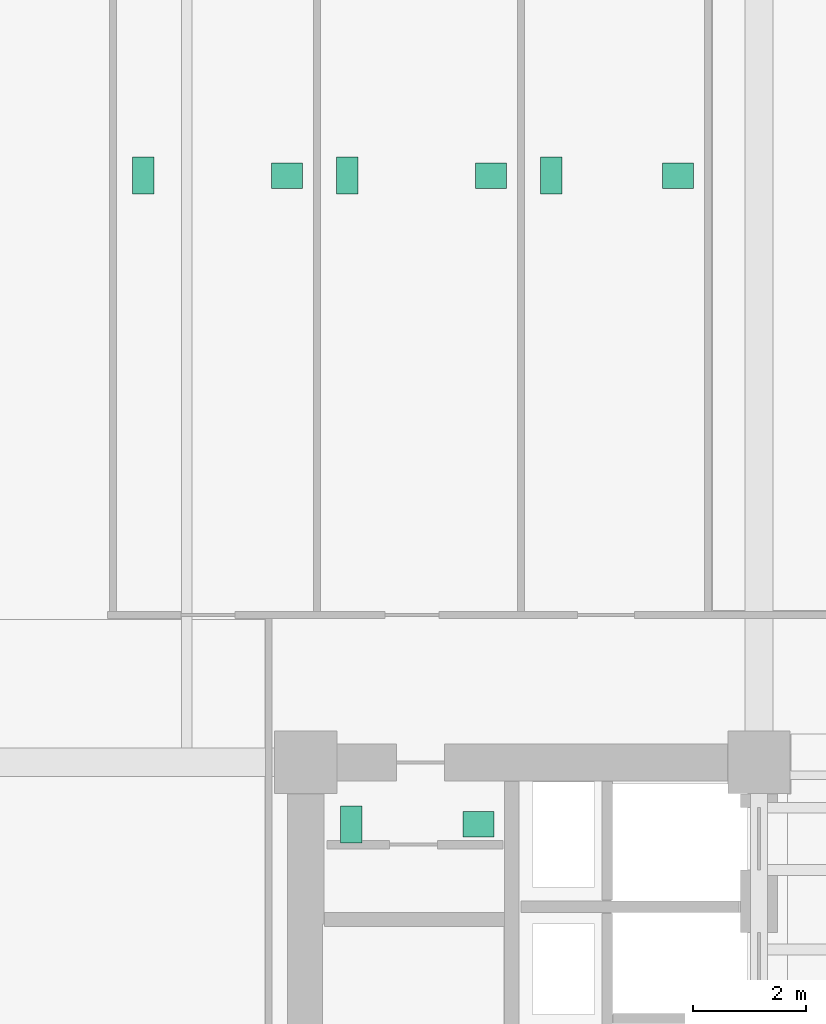
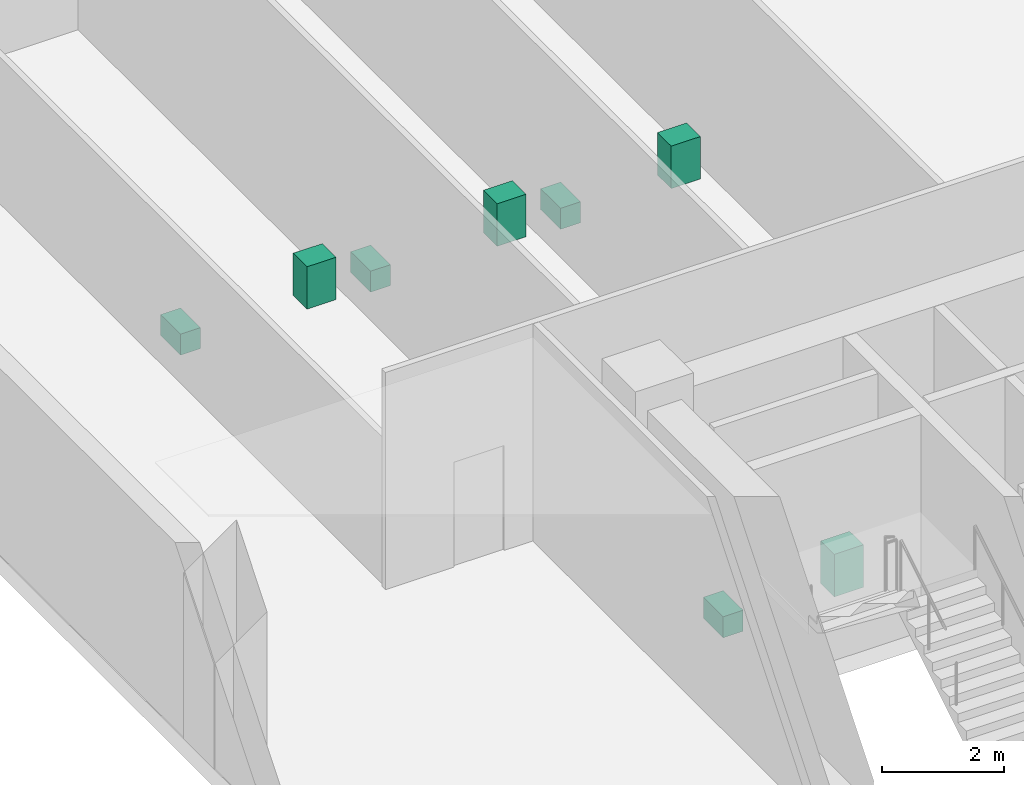
# One storey, part 16 of 16: 8 sanitary terminals.
"""IFC4 building model written with IfcOpenShell, lengths in metres."""

from ifc_helpers import new_model, si_unit, direction, frame, origin, origin_2d, place, context, subcontext, project, spatial, rectangle, extrude, material, type_object, element, save


model = new_model("IFC4")

# Units and contexts
model_context = context("Model", 3, precision=1e-05, world=origin(), true_north=direction((0.0, 1.0)))
body_context = subcontext(model_context, "Body", "Model", "MODEL_VIEW")
ifc_project = project(units=[si_unit("LENGTHUNIT", "METRE"), si_unit("AREAUNIT", "SQUARE_METRE"), si_unit("VOLUMEUNIT", "CUBIC_METRE"), si_unit("PLANEANGLEUNIT", "RADIAN"), si_unit("MASSUNIT", "GRAM", prefix="KILO")], contexts=[model_context])

# Site, building, storey
site_placement = place(None, origin())
site = spatial("IfcSite", under=ifc_project, at=site_placement, CompositionType="ELEMENT")
building_placement = place(site_placement, origin())
building = spatial("IfcBuilding", under=site, at=building_placement, Name="Kranthara Brick Stack", CompositionType="ELEMENT")
storey_placement = place(building_placement, frame((0.0, 0.0, 115.5)))
storey = spatial("IfcBuildingStorey", under=building, at=storey_placement, Name="L28", CompositionType="ELEMENT", Elevation=115.5)

# Sanitary terminals
ifc_material_1 = material(Name="Vitreous china sanitary porcelain", Category="other")
sanitary_terminal_type_1 = type_object("IfcSanitaryTerminalType", Name="SAN-BASIN", PredefinedType="WASHHANDBASIN", material=ifc_material_1)
for number, where, z_axis, x_axis, name in (
    (1, (15.85009765625, 32.5048828125, 0.0), (0.0, 0.0, 1.0), (1.0, 0.0, 0.0), "L28 Washbasin 83"),
    (2, (12.469970703125, 43.955078125, 0.0), (0.0, 0.0, 1.0), (1.0, 0.0, 0.0), "L28 Washbasin 84"),
    (3, (16.070068359375, 43.955078125, 0.0), (0.0, 0.0, 1.0), (1.0, 0.0, 0.0), "L28 Washbasin 85"),
    (4, (19.3701171875, 43.955078125, 0.0), (0.0, 0.0, 1.0), (1.0, 0.0, 0.0), "L28 Washbasin 86"),
):
    element("IfcSanitaryTerminal", number, at=place(storey_placement, frame(where, z_axis=z_axis, x_axis=x_axis)), inside=storey, type_object=sanitary_terminal_type_1, Name=name, PredefinedType="WASHHANDBASIN", context=body_context, shape_type="SweptSolid", body=[
        extrude(rectangle(XDim=0.550048828125, YDim=0.449951171875, at=origin_2d()), origin(), (0.0, 0.0, 1.0), 0.85009765625),
    ])
ifc_material_2 = material(Name="Vitreous china sanitary porcelain", Category="other")
sanitary_terminal_type_2 = type_object("IfcSanitaryTerminalType", Name="SAN-WC-PAN", PredefinedType="TOILETPAN", material=ifc_material_2)
for number, where, z_axis, x_axis, name in (
    (5, (13.60009765625, 32.5048828125, 0.0), (0.0, 0.0, 1.0), (1.0, 0.0, 0.0), "L28 WC Pan 83"),
    (6, (9.929931640625, 43.955078125, 0.0), (0.0, 0.0, 1.0), (1.0, 0.0, 0.0), "L28 WC Pan 84"),
    (7, (13.530029296875, 43.955078125, 0.0), (0.0, 0.0, 1.0), (1.0, 0.0, 0.0), "L28 WC Pan 85"),
    (8, (17.1298828125, 43.955078125, 0.0), (0.0, 0.0, 1.0), (1.0, 0.0, 0.0), "L28 WC Pan 86"),
):
    element("IfcSanitaryTerminal", number, at=place(storey_placement, frame(where, z_axis=z_axis, x_axis=x_axis)), inside=storey, type_object=sanitary_terminal_type_2, Name=name, PredefinedType="TOILETPAN", context=body_context, shape_type="SweptSolid", body=[
        extrude(rectangle(XDim=0.3798828125, YDim=0.64990234375, at=origin_2d()), origin(), (0.0, 0.0, 1.0), 0.419921875),
    ])

save(model, "model.ifc")
